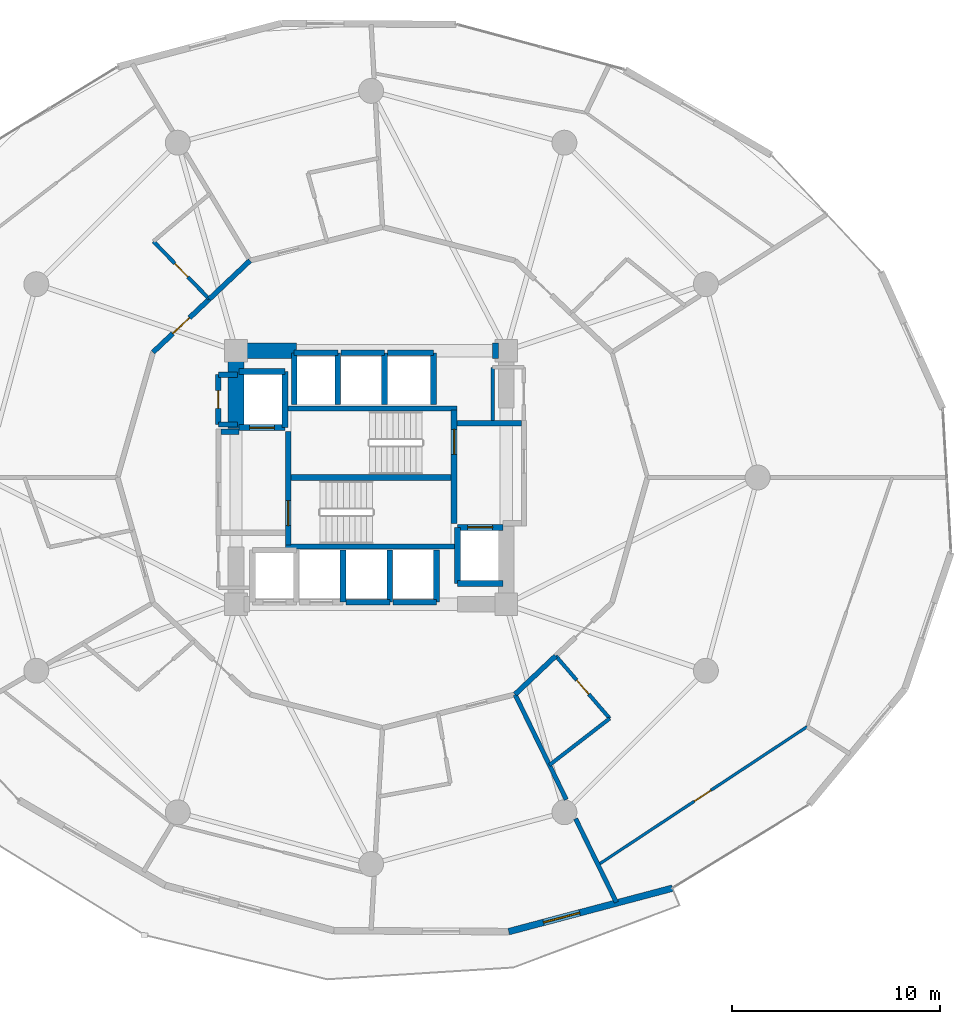
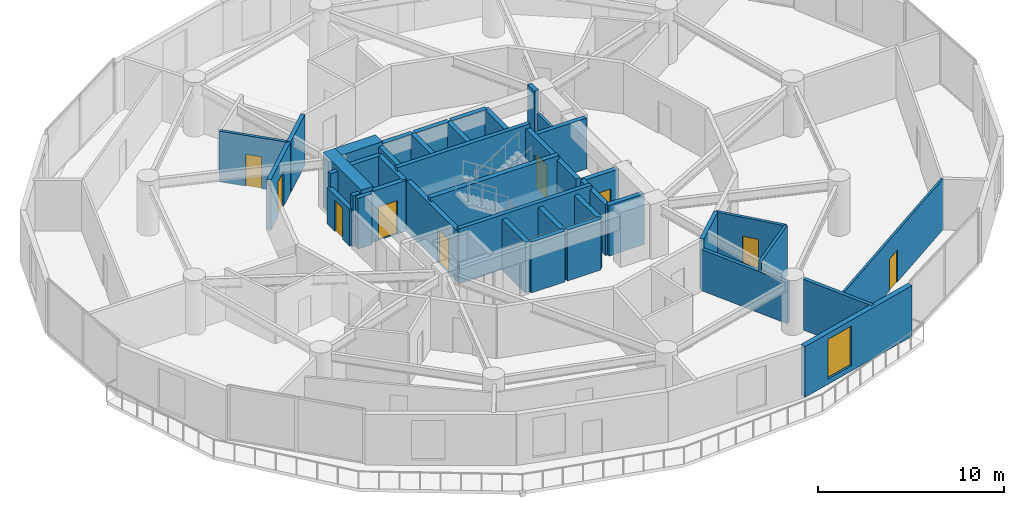
# One storey, part 18 of 23: 42 walls, 9 doors, 1 window, 10 openings.
"""IFC4 building model written with IfcOpenShell, lengths in metres."""

from ifc_helpers import new_model, si_unit, direction, frame, frame_2d, origin, place, context, subcontext, project, spatial, rectangle, extrude, material, layer, layer_set, type_object, element, fill, save


model = new_model("IFC4")

# Units and contexts
model_context = context("Model", 3, precision=1e-05, world=origin(), true_north=direction((0.0, 1.0)))
body_context = subcontext(model_context, "Body", "Model", "MODEL_VIEW")
ifc_project = project(units=[si_unit("LENGTHUNIT", "METRE"), si_unit("AREAUNIT", "SQUARE_METRE"), si_unit("VOLUMEUNIT", "CUBIC_METRE"), si_unit("PLANEANGLEUNIT", "RADIAN"), si_unit("MASSUNIT", "GRAM", prefix="KILO")], contexts=[model_context])

# Site, building, storey
site_placement = place(None, origin())
site = spatial("IfcSite", under=ifc_project, at=site_placement, CompositionType="ELEMENT")
building_placement = place(site_placement, origin())
building = spatial("IfcBuilding", under=site, at=building_placement, Name="Solvirekh Grand Hotel", CompositionType="ELEMENT")
storey_placement = place(building_placement, frame((0.0, 0.0, 39.199951171875)))
storey = spatial("IfcBuildingStorey", under=building, at=storey_placement, Name="L08", CompositionType="ELEMENT", Elevation=39.199951171875)

# Walls
ifc_material_1 = material(Name="Concrete C50/60", Category="concrete")
ifc_layer_1 = layer(ifc_material_1, 0.35009765625)
ifc_layer_set_1 = layer_set([ifc_layer_1], Name="Concrete C50/60")
wall_type_1 = type_object("IfcWallType", Name="CoreDivWall_RC350", PredefinedType="SOLIDWALL", material=ifc_layer_set_1)
for number, where, z_axis, x_axis, name in (
    (1, (-4.1298828125, -3.324951171875, 0.0), (0.0, 0.0, 1.0), (1.0, 0.0, 0.0), "L08 core stair box wall ST-S"),
    (2, (-4.1298828125, 3.324951171875, 0.0), (0.0, 0.0, 1.0), (1.0, 0.0, 0.0), "L08 core stair box wall ST-N"),
):
    element("IfcWall", number, at=place(storey_placement, frame(where, z_axis=z_axis, x_axis=x_axis)), inside=storey, type_object=wall_type_1, Name=name, PredefinedType="SOLIDWALL", context=body_context, shape_type="SweptSolid", body=[
        extrude(rectangle(XDim=8.259765625, YDim=0.25, at=frame_2d((4.1298828125, 0.0))), origin(), (0.0, 0.0, 1.0), 3.60009765625),
    ])
ifc_material_2 = material(Name="Concrete C40/50", Category="concrete")
ifc_layer_2 = layer(ifc_material_2, 0.280029296875)
ifc_layer_set_2 = layer_set([ifc_layer_2], Name="Concrete C40/50")
wall_type_2 = type_object("IfcWallType", Name="CoreShaftWall_RC280", PredefinedType="SOLIDWALL", material=ifc_layer_set_2)
wall_1_placement = place(storey_placement, frame((-1.35009765625, -6.0, 0.0), z_axis=(0.0, 0.0, 1.0), x_axis=(0.0, 1.0, 0.0)))
element("IfcWall", 3, at=wall_1_placement, inside=storey, type_object=wall_type_2, Name="L08 LP-2 hoistway E wall", PredefinedType="SOLIDWALL", context=body_context, shape_type="SweptSolid", body=[
    extrude(rectangle(XDim=2.5, YDim=0.280029296875, at=frame_2d((1.25, 0.0))), origin(), (0.0, 0.0, 1.0), 3.340087890625),
])
wall_2_placement = place(storey_placement, frame((-1.199951171875, -6.0, 0.0), z_axis=(0.0, 0.0, 1.0), x_axis=(1.0, 0.0, 0.0)))
element("IfcWall", 4, at=wall_2_placement, inside=storey, type_object=wall_type_2, Name="L08 MP-1 hoistway S wall", PredefinedType="SOLIDWALL", context=body_context, shape_type="SweptSolid", body=[
    extrude(rectangle(XDim=2.099853515625, YDim=0.280029296875, at=frame_2d((1.0498046875, 0.0))), origin(), (0.0, 0.0, 1.0), 3.340087890625),
])
wall_3_placement = place(storey_placement, frame((0.89990234375, -6.0, 0.0), z_axis=(0.0, 0.0, 1.0), x_axis=(0.0, 1.0, 0.0)))
element("IfcWall", 5, at=wall_3_placement, inside=storey, type_object=wall_type_2, Name="L08 MP-1 hoistway E wall", PredefinedType="SOLIDWALL", context=body_context, shape_type="SweptSolid", body=[
    extrude(rectangle(XDim=2.5, YDim=0.280029296875, at=frame_2d((1.25, 0.0))), origin(), (0.0, 0.0, 1.0), 3.340087890625),
])
wall_4_placement = place(storey_placement, frame((1.050048828125, -6.0, 0.0), z_axis=(0.0, 0.0, 1.0), x_axis=(1.0, 0.0, 0.0)))
element("IfcWall", 6, at=wall_4_placement, inside=storey, type_object=wall_type_2, Name="L08 MP-2 hoistway S wall", PredefinedType="SOLIDWALL", context=body_context, shape_type="SweptSolid", body=[
    extrude(rectangle(XDim=2.099853515625, YDim=0.280029296875, at=frame_2d((1.0498046875, 0.0))), origin(), (0.0, 0.0, 1.0), 3.340087890625),
])
wall_5_placement = place(storey_placement, frame((3.14990234375, -6.0, 0.0), z_axis=(0.0, 0.0, 1.0), x_axis=(0.0, 1.0, 0.0)))
element("IfcWall", 7, at=wall_5_placement, inside=storey, type_object=wall_type_2, Name="L08 MP-2 hoistway E wall", PredefinedType="SOLIDWALL", context=body_context, shape_type="SweptSolid", body=[
    extrude(rectangle(XDim=2.5, YDim=0.280029296875, at=frame_2d((1.25, 0.0))), origin(), (0.0, 0.0, 1.0), 3.340087890625),
])
wall_6_placement = place(storey_placement, frame((-1.60009765625, 6.0, 0.0), z_axis=(0.0, 0.0, 1.0), x_axis=(-1.0, 0.0, 0.0)))
element("IfcWall", 8, at=wall_6_placement, inside=storey, type_object=wall_type_2, Name="L08 HP-1 hoistway N wall", PredefinedType="SOLIDWALL", context=body_context, shape_type="SweptSolid", body=[
    extrude(rectangle(XDim=2.099853515625, YDim=0.280029296875, at=frame_2d((1.0498046875, 0.0))), origin(), (0.0, 0.0, 1.0), 3.340087890625),
])
for number, where, z_axis, x_axis, name in (
    (9, (-3.699951171875, 6.0, 0.0), (0.0, 0.0, 1.0), (0.0, -1.0, 0.0), "L08 HP-1 hoistway W wall"),
    (10, (-1.60009765625, 3.5, 0.0), (0.0, 0.0, 1.0), (0.0, 1.0, 0.0), "L08 HP-1 hoistway E wall"),
):
    element("IfcWall", number, at=place(storey_placement, frame(where, z_axis=z_axis, x_axis=x_axis)), inside=storey, type_object=wall_type_2, Name=name, PredefinedType="SOLIDWALL", context=body_context, shape_type="SweptSolid", body=[
        extrude(rectangle(XDim=2.5, YDim=0.280029296875, at=frame_2d((1.25, 0.0))), origin(), (0.0, 0.0, 1.0), 3.340087890625),
    ])
wall_7_placement = place(storey_placement, frame((0.64990234375, 6.0, 0.0), z_axis=(0.0, 0.0, 1.0), x_axis=(-1.0, 0.0, 0.0)))
element("IfcWall", 11, at=wall_7_placement, inside=storey, type_object=wall_type_2, Name="L08 HP-2 hoistway N wall", PredefinedType="SOLIDWALL", context=body_context, shape_type="SweptSolid", body=[
    extrude(rectangle(XDim=2.099853515625, YDim=0.280029296875, at=frame_2d((1.0498046875, 0.0))), origin(), (0.0, 0.0, 1.0), 3.340087890625),
])
wall_8_placement = place(storey_placement, frame((0.64990234375, 3.5, 0.0), z_axis=(0.0, 0.0, 1.0), x_axis=(0.0, 1.0, 0.0)))
element("IfcWall", 12, at=wall_8_placement, inside=storey, type_object=wall_type_2, Name="L08 HP-2 hoistway E wall", PredefinedType="SOLIDWALL", context=body_context, shape_type="SweptSolid", body=[
    extrude(rectangle(XDim=2.5, YDim=0.280029296875, at=frame_2d((1.25, 0.0))), origin(), (0.0, 0.0, 1.0), 3.340087890625),
])
wall_9_placement = place(storey_placement, frame((3.0, 6.0, 0.0), z_axis=(0.0, 0.0, 1.0), x_axis=(-1.0, 0.0, 0.0)))
element("IfcWall", 13, at=wall_9_placement, inside=storey, type_object=wall_type_2, Name="L08 EX-1 hoistway N wall", PredefinedType="SOLIDWALL", context=body_context, shape_type="SweptSolid", body=[
    extrude(rectangle(XDim=2.199951171875, YDim=0.280029296875, at=frame_2d((1.10009765625, 0.0))), origin(), (0.0, 0.0, 1.0), 3.340087890625),
])
wall_10_placement = place(storey_placement, frame((3.0, 3.5, 0.0), z_axis=(0.0, 0.0, 1.0), x_axis=(0.0, 1.0, 0.0)))
element("IfcWall", 14, at=wall_10_placement, inside=storey, type_object=wall_type_2, Name="L08 EX-1 hoistway E wall", PredefinedType="SOLIDWALL", context=body_context, shape_type="SweptSolid", body=[
    extrude(rectangle(XDim=2.5, YDim=0.280029296875, at=frame_2d((1.25, 0.0))), origin(), (0.0, 0.0, 1.0), 3.340087890625),
])

# Wall, opening, door
wall_11_placement = place(storey_placement, frame((-6.35009765625, 2.39990234375, 0.0), z_axis=(0.0, 0.0, 1.0), x_axis=(1.0, 0.0, 0.0)))
wall_11 = element("IfcWall", 15, at=wall_11_placement, inside=storey, type_object=wall_type_2, Name="L08 FL-1 hoistway S wall", PredefinedType="SOLIDWALL", context=body_context, shape_type="SweptSolid", body=[
    extrude(rectangle(XDim=2.2001953125, YDim=0.280029296875, at=frame_2d((1.10009765625, 0.0))), origin(), (0.0, 0.0, 1.0), 3.340087890625),
])
opening_1_placement = place(wall_11_placement, frame((0.5, 0.0, 0.0)))
opening_1 = element("IfcOpeningElement", 16, at=opening_1_placement, cuts=wall_11, Name="Opening LD02", PredefinedType="OPENING", context=body_context, shape_type="SweptSolid", body=[
    extrude(rectangle(XDim=1.199951171875, YDim=2.199951171875, at=frame_2d((0.60009765625, 1.10009765625))), frame((0.0, 0.14990234375, 0.0), z_axis=(0.0, -1.0, 0.0), x_axis=(1.0, 0.0, 0.0)), (0.0, 0.0, 1.0), 0.300048828125),
])
ifc_material_3 = material(Name="Fire-Rated Steel Door Assembly", Category="steel")
door_type_1 = type_object("IfcDoorType", Name="Door_LiftFF_1200X2200", OperationType="SLIDING_TO_LEFT", PredefinedType="DOOR", material=ifc_material_3)
door_1_placement = place(opening_1_placement, origin())
door_1 = element("IfcDoor", 17, at=door_1_placement, inside=storey, type_object=door_type_1, Name="L08 FL-1 sliding lift landing door", OperationType="SLIDING_TO_LEFT", OverallHeight=2.199951171875, OverallWidth=1.199951171875, PredefinedType="DOOR", context=body_context, shape_type="SweptSolid", body=[
    extrude(rectangle(XDim=1.199951171875, YDim=2.199951171875, at=frame_2d((0.60009765625, 1.10009765625))), frame((0.0, 0.02490234375, 0.0), z_axis=(0.0, -1.0, 0.0), x_axis=(1.0, 0.0, 0.0)), (0.0, 0.0, 1.0), 0.050048828125),
])
fill(opening_1, door_1)

# Walls
wall_12_placement = place(storey_placement, frame((-4.14990234375, 5.10009765625, 0.0), z_axis=(0.0, 0.0, 1.0), x_axis=(-1.0, 0.0, 0.0)))
element("IfcWall", 18, at=wall_12_placement, inside=storey, type_object=wall_type_2, Name="L08 FL-1 hoistway N wall", PredefinedType="SOLIDWALL", context=body_context, shape_type="SweptSolid", body=[
    extrude(rectangle(XDim=2.2001953125, YDim=0.280029296875, at=frame_2d((1.10009765625, 0.0))), origin(), (0.0, 0.0, 1.0), 3.340087890625),
])
wall_13_placement = place(storey_placement, frame((-4.14990234375, 2.39990234375, 0.0), z_axis=(0.0, 0.0, 1.0), x_axis=(0.0, 1.0, 0.0)))
element("IfcWall", 19, at=wall_13_placement, inside=storey, type_object=wall_type_2, Name="L08 FL-1 hoistway E wall", PredefinedType="SOLIDWALL", context=body_context, shape_type="SweptSolid", body=[
    extrude(rectangle(XDim=2.7001953125, YDim=0.280029296875, at=frame_2d((1.35009765625, 0.0))), origin(), (0.0, 0.0, 1.0), 3.340087890625),
])
wall_14_placement = place(storey_placement, frame((4.14990234375, -5.10009765625, 0.0), z_axis=(0.0, 0.0, 1.0), x_axis=(1.0, 0.0, 0.0)))
element("IfcWall", 20, at=wall_14_placement, inside=storey, type_object=wall_type_2, Name="L08 FL-2 hoistway S wall", PredefinedType="SOLIDWALL", context=body_context, shape_type="SweptSolid", body=[
    extrude(rectangle(XDim=2.2001953125, YDim=0.280029296875, at=frame_2d((1.10009765625, 0.0))), origin(), (0.0, 0.0, 1.0), 3.340087890625),
])

# Wall, opening, door
wall_15_placement = place(storey_placement, frame((6.35009765625, -2.39990234375, 0.0), z_axis=(0.0, 0.0, 1.0), x_axis=(-1.0, 0.0, 0.0)))
wall_15 = element("IfcWall", 21, at=wall_15_placement, inside=storey, type_object=wall_type_2, Name="L08 FL-2 hoistway N wall", PredefinedType="SOLIDWALL", context=body_context, shape_type="SweptSolid", body=[
    extrude(rectangle(XDim=2.2001953125, YDim=0.280029296875, at=frame_2d((1.10009765625, 0.0))), origin(), (0.0, 0.0, 1.0), 3.340087890625),
])
opening_2_placement = place(wall_15_placement, frame((0.5, 0.0, 0.0)))
opening_2 = element("IfcOpeningElement", 22, at=opening_2_placement, cuts=wall_15, Name="Opening LD02", PredefinedType="OPENING", context=body_context, shape_type="SweptSolid", body=[
    extrude(rectangle(XDim=1.199951171875, YDim=2.199951171875, at=frame_2d((0.60009765625, 1.10009765625))), frame((0.0, 0.14990234375, 0.0), z_axis=(0.0, -1.0, 0.0), x_axis=(1.0, 0.0, 0.0)), (0.0, 0.0, 1.0), 0.300048828125),
])
door_2_placement = place(opening_2_placement, origin())
door_2 = element("IfcDoor", 23, at=door_2_placement, inside=storey, type_object=door_type_1, Name="L08 FL-2 sliding lift landing door", OperationType="SLIDING_TO_LEFT", OverallHeight=2.199951171875, OverallWidth=1.199951171875, PredefinedType="DOOR", context=body_context, shape_type="SweptSolid", body=[
    extrude(rectangle(XDim=1.199951171875, YDim=2.199951171875, at=frame_2d((0.60009765625, 1.10009765625))), frame((0.0, 0.02490234375, 0.0), z_axis=(0.0, -1.0, 0.0), x_axis=(1.0, 0.0, 0.0)), (0.0, 0.0, 1.0), 0.050048828125),
])
fill(opening_2, door_2)

# Wall
wall_16_placement = place(storey_placement, frame((4.14990234375, -2.39990234375, 0.0), z_axis=(0.0, 0.0, 1.0), x_axis=(0.0, -1.0, 0.0)))
element("IfcWall", 24, at=wall_16_placement, inside=storey, type_object=wall_type_2, Name="L08 FL-2 hoistway W wall", PredefinedType="SOLIDWALL", context=body_context, shape_type="SweptSolid", body=[
    extrude(rectangle(XDim=2.7001953125, YDim=0.280029296875, at=frame_2d((1.35009765625, 0.0))), origin(), (0.0, 0.0, 1.0), 3.340087890625),
])

# Wall, opening, door
wall_17_placement = place(storey_placement, frame((-3.989990234375, -3.25, 0.0), z_axis=(0.0, 0.0, 1.0), x_axis=(0.0, 1.0, 0.0)))
wall_17 = element("IfcWall", 25, at=wall_17_placement, inside=storey, type_object=wall_type_2, Name="L08 west stair landing enclosure wall", PredefinedType="SOLIDWALL", context=body_context, shape_type="SweptSolid", body=[
    extrude(rectangle(XDim=5.4599609375, YDim=0.280029296875, at=frame_2d((2.72998046875, 0.0))), origin(), (0.0, 0.0, 1.0), 3.340087890625),
])
opening_3_placement = place(wall_17_placement, frame((0.93701171875, 0.0, 0.0)))
opening_3 = element("IfcOpeningElement", 26, at=opening_3_placement, cuts=wall_17, Name="Opening D05", PredefinedType="OPENING", context=body_context, shape_type="SweptSolid", body=[
    extrude(rectangle(XDim=1.199951171875, YDim=2.199951171875, at=frame_2d((0.60009765625, 1.10009765625))), frame((0.0, 0.14990234375, 0.0), z_axis=(0.0, -1.0, 0.0), x_axis=(1.0, 0.0, 0.0)), (0.0, 0.0, 1.0), 0.300048828125),
])
door_type_2 = type_object("IfcDoorType", Name="Door_StairCore_1200X2200", OperationType="NOTDEFINED", PredefinedType="DOOR", material=ifc_material_3)
door_3_placement = place(opening_3_placement, origin())
door_3 = element("IfcDoor", 27, at=door_3_placement, inside=storey, type_object=door_type_2, Name="L08 exit stair ST-1 fire door", OperationType="SINGLE_SWING_RIGHT", OverallHeight=2.199951171875, OverallWidth=1.199951171875, PredefinedType="DOOR", context=body_context, shape_type="SweptSolid", body=[
    extrude(rectangle(XDim=1.199951171875, YDim=2.199951171875, at=frame_2d((0.60009765625, 1.10009765625))), frame((0.0, 0.02490234375, 0.0), z_axis=(0.0, -1.0, 0.0), x_axis=(1.0, 0.0, 0.0)), (0.0, 0.0, 1.0), 0.050048828125),
])
fill(opening_3, door_3)

wall_18_placement = place(storey_placement, frame((3.989990234375, -2.2099609375, 0.0), z_axis=(0.0, 0.0, 1.0), x_axis=(0.0, 1.0, 0.0)))
wall_18 = element("IfcWall", 28, at=wall_18_placement, inside=storey, type_object=wall_type_2, Name="L08 east stair landing enclosure wall", PredefinedType="SOLIDWALL", context=body_context, shape_type="SweptSolid", body=[
    extrude(rectangle(XDim=5.4599609375, YDim=0.280029296875, at=frame_2d((2.72998046875, 0.0))), origin(), (0.0, 0.0, 1.0), 3.340087890625),
])
opening_4_placement = place(wall_18_placement, frame((3.322998046875, 0.0, 0.0)))
opening_4 = element("IfcOpeningElement", 29, at=opening_4_placement, cuts=wall_18, Name="Opening D05", PredefinedType="OPENING", context=body_context, shape_type="SweptSolid", body=[
    extrude(rectangle(XDim=1.199951171875, YDim=2.199951171875, at=frame_2d((0.60009765625, 1.10009765625))), frame((0.0, 0.14990234375, 0.0), z_axis=(0.0, -1.0, 0.0), x_axis=(1.0, 0.0, 0.0)), (0.0, 0.0, 1.0), 0.300048828125),
])
door_4_placement = place(opening_4_placement, origin())
door_4 = element("IfcDoor", 30, at=door_4_placement, inside=storey, type_object=door_type_2, Name="L08 exit stair ST-2 fire door", OperationType="SINGLE_SWING_LEFT", OverallHeight=2.199951171875, OverallWidth=1.199951171875, PredefinedType="DOOR", context=body_context, shape_type="SweptSolid", body=[
    extrude(rectangle(XDim=1.199951171875, YDim=2.199951171875, at=frame_2d((0.60009765625, 1.10009765625))), frame((0.0, 0.02490234375, 0.0), z_axis=(0.0, -1.0, 0.0), x_axis=(1.0, 0.0, 0.0)), (0.0, 0.0, 1.0), 0.050048828125),
])
fill(opening_4, door_4)

# Walls
ifc_material_4 = material(Name="Concrete C60/75", Category="concrete")
ifc_layer_3 = layer(ifc_material_4, 0.75)
ifc_layer_set_3 = layer_set([ifc_layer_3], Name="Concrete C60/75")
wall_type_3 = type_object("IfcWallType", Name="CoreWall_RC750", PredefinedType="SHEAR", material=ifc_layer_set_3)
wall_19_placement = place(storey_placement, frame((-3.989990234375, 0.0, 0.0), z_axis=(0.0, 0.0, 1.0), x_axis=(1.0, 0.0, 0.0)))
element("IfcWall", 31, at=wall_19_placement, inside=storey, type_object=wall_type_3, Name="L08 central stair-spine shear wall", PredefinedType="SHEAR", context=body_context, shape_type="SweptSolid", body=[
    extrude(rectangle(XDim=7.97998046875, YDim=0.300048828125, at=frame_2d((3.989990234375, 0.0))), origin(), (0.0, 0.0, 1.0), 3.60009765625),
])
wall_20_placement = place(storey_placement, frame((-6.125, 6.10009765625, 0.0), z_axis=(0.0, 0.0, 1.0), x_axis=(1.0, 0.0, 0.0)))
element("IfcWall", 32, at=wall_20_placement, inside=storey, type_object=wall_type_3, Name="L08 core corner shear wall NW-N", PredefinedType="SHEAR", context=body_context, shape_type="SweptSolid", body=[
    extrude(rectangle(XDim=2.52490234375, YDim=0.75, at=frame_2d((1.262451171875, 0.0))), origin(), (0.0, 0.0, 1.0), 3.60009765625),
])
wall_21_placement = place(storey_placement, frame((5.85009765625, 6.10009765625, 0.0), z_axis=(0.0, 0.0, 1.0), x_axis=(1.0, 0.0, 0.0)))
element("IfcWall", 33, at=wall_21_placement, inside=storey, type_object=wall_type_3, Name="L08 core corner shear wall NE-N", PredefinedType="SHEAR", context=body_context, shape_type="SweptSolid", body=[
    extrude(rectangle(XDim=0.27490234375, YDim=0.75, at=frame_2d((0.137451171875, 0.0))), origin(), (0.0, 0.0, 1.0), 3.60009765625),
])
wall_22_placement = place(storey_placement, frame((-6.5, 2.35009765625, 0.0), z_axis=(0.0, 0.0, 1.0), x_axis=(0.0, 1.0, 0.0)))
element("IfcWall", 34, at=wall_22_placement, inside=storey, type_object=wall_type_3, Name="L08 core corner shear wall WN-W", PredefinedType="SHEAR", context=body_context, shape_type="SweptSolid", body=[
    extrude(rectangle(XDim=4.125, YDim=0.75, at=frame_2d((2.0625, 0.0))), origin(), (0.0, 0.0, 1.0), 3.60009765625),
])

# Wall, opening, window
ifc_material_5 = material(Name="Precast concrete C45/55", Category="concrete")
ifc_layer_4 = layer(ifc_material_5, 0.320068359375)
ifc_layer_set_4 = layer_set([ifc_layer_4], Name="Precast concrete C45/55")
wall_type_4 = type_object("IfcWallType", Name="ExtLobbyWall_RC320", PredefinedType="SOLIDWALL", material=ifc_layer_set_4)
wall_23_placement = place(storey_placement, frame((14.4990234375, -19.760009765625, 0.0), z_axis=(0.0, 0.0, 1.0), x_axis=(-0.966523209468, -0.256579199389, 0.0)))
wall_23 = element("IfcWall", 35, at=wall_23_placement, inside=storey, type_object=wall_type_4, Name="L08 exterior structural wall chord 17", PredefinedType="SOLIDWALL", context=body_context, shape_type="SweptSolid", body=[
    extrude(rectangle(XDim=8.14990234375, YDim=0.320068359375, at=frame_2d((4.074951171875, 0.0))), origin(), (0.0, 0.0, 1.0), 3.340087890625),
])
opening_5_placement = place(wall_23_placement, frame((4.616943359375, 0.0, 0.35009765625)))
opening_5 = element("IfcOpeningElement", 36, at=opening_5_placement, cuts=wall_23, Name="Opening W02", PredefinedType="OPENING", context=body_context, shape_type="SweptSolid", body=[
    extrude(rectangle(XDim=1.800048828125, YDim=2.60009765625, at=frame_2d((0.89990234375, 1.300048828125))), frame((0.0, 0.169921875, 0.0), z_axis=(0.0, -1.0, 0.0), x_axis=(1.0, 0.0, 0.0)), (0.0, 0.0, 1.0), 0.340087890625),
])
ifc_material_6 = material(Name="Low-E Tinted Bronze Laminated Glass", Category="aluminium")
window_type = type_object("IfcWindowType", Name="Win_LobbyExt_1800X2600", PartitioningType="SINGLE_PANEL", PredefinedType="WINDOW", material=ifc_material_6)
window_placement = place(opening_5_placement, origin())
window = element("IfcWindow", 37, at=window_placement, inside=storey, type_object=window_type, Name="L08 panoramic bronze-framed window 17", OverallHeight=2.60009765625, OverallWidth=1.800048828125, PartitioningType="SINGLE_PANEL", PredefinedType="WINDOW", context=body_context, shape_type="SweptSolid", body=[
    extrude(rectangle(XDim=1.800048828125, YDim=2.60009765625, at=frame_2d((0.89990234375, 1.300048828125))), frame((0.0, 0.030029296875, 0.0), z_axis=(0.0, -1.0, 0.0), x_axis=(1.0, 0.0, 0.0)), (0.0, 0.0, 1.0), 0.06005859375),
])
fill(opening_5, window)

# Walls
ifc_material_7 = material(Name="Acoustic Gypsum Partition Assembly")
ifc_layer_5 = layer(ifc_material_7, 0.1650390625)
ifc_layer_set_5 = layer_set([ifc_layer_5], Name="Acoustic Gypsum Partition Assembly")
wall_type_5 = type_object("IfcWallType", Name="Part_BOH_165", PredefinedType="PARTITIONING", material=ifc_layer_set_5)
wall_24_placement = place(storey_placement, frame((5.85009765625, 5.300048828125, 0.0), z_axis=(0.0, 0.0, 1.0), x_axis=(0.0, -1.0, 0.0)))
element("IfcWall", 38, at=wall_24_placement, inside=storey, type_object=wall_type_5, Name="L08 L08 Telecom Distribution Room wall 4", PredefinedType="PARTITIONING", context=body_context, shape_type="SweptSolid", body=[
    extrude(rectangle(XDim=2.550048828125, YDim=0.1650390625, at=frame_2d((1.27490234375, 0.0))), origin(), (0.0, 0.0, 1.0), 2.425048828125),
])
ifc_layer_6 = layer(ifc_material_7, 0.239990234375)
ifc_layer_set_6 = layer_set([ifc_layer_6], Name="Acoustic Gypsum Partition Assembly")
wall_type_6 = type_object("IfcWallType", Name="Part_Corridor_240", PredefinedType="PARTITIONING", material=ifc_layer_set_6)
wall_25_placement = place(storey_placement, frame((-5.824951171875, 10.43603515625, 0.0), z_axis=(0.0, 0.0, 1.0), x_axis=(-0.726651583854, -0.687006168591, 0.0)))
element("IfcWall", 39, at=wall_25_placement, inside=storey, type_object=wall_type_6, Name="L08 En-suite Bathroom 1003 corridor backing wall", PredefinedType="PARTITIONING", context=body_context, shape_type="SweptSolid", body=[
    extrude(rectangle(XDim=2.697265625, YDim=0.239990234375, at=frame_2d((1.3486328125, 0.0))), origin(), (0.0, 0.0, 1.0), 3.340087890625),
])

# Wall, opening, door
wall_26_placement = place(storey_placement, frame((-7.784912109375, 8.5830078125, 0.0), z_axis=(0.0, 0.0, 1.0), x_axis=(-0.726816794063, -0.686831382413, 0.0)))
wall_26 = element("IfcWall", 40, at=wall_26_placement, inside=storey, type_object=wall_type_6, Name="L08 Executive Suite 1003 Living Room entrance wall", PredefinedType="PARTITIONING", context=body_context, shape_type="SweptSolid", body=[
    extrude(rectangle(XDim=3.724609375, YDim=0.239990234375, at=frame_2d((1.8623046875, 0.0))), origin(), (0.0, 0.0, 1.0), 3.340087890625),
])
opening_6_placement = place(wall_26_placement, frame((1.31201171875, 0.0, 0.0)))
opening_6 = element("IfcOpeningElement", 41, at=opening_6_placement, cuts=wall_26, Name="Opening D08", PredefinedType="OPENING", context=body_context, shape_type="SweptSolid", body=[
    extrude(rectangle(XDim=1.10009765625, YDim=2.300048828125, at=frame_2d((0.550048828125, 1.14990234375))), frame((0.0, 0.1298828125, 0.0), z_axis=(0.0, -1.0, 0.0), x_axis=(1.0, 0.0, 0.0)), (0.0, 0.0, 1.0), 0.260009765625),
])
door_type_3 = type_object("IfcDoorType", Name="Door_SuiteEntry_1100X2300", OperationType="NOTDEFINED", PredefinedType="DOOR", material=ifc_material_3)
door_5_placement = place(opening_6_placement, origin())
door_5 = element("IfcDoor", 42, at=door_5_placement, inside=storey, type_object=door_type_3, Name="L08 Executive Suite 1003 Living Room entrance door", OperationType="SINGLE_SWING_RIGHT", OverallHeight=2.300048828125, OverallWidth=1.10009765625, PredefinedType="DOOR", context=body_context, shape_type="SweptSolid", body=[
    extrude(rectangle(XDim=1.10009765625, YDim=2.300048828125, at=frame_2d((0.550048828125, 1.14990234375))), frame((0.0, 0.02490234375, 0.0), z_axis=(0.0, -1.0, 0.0), x_axis=(1.0, 0.0, 0.0)), (0.0, 0.0, 1.0), 0.050048828125),
])
fill(opening_6, door_5)

# Walls
wall_27_placement = place(storey_placement, frame((6.925048828125, -10.43603515625, 0.0), z_axis=(0.0, 0.0, 1.0), x_axis=(0.726651583854, 0.687006168591, 0.0)))
element("IfcWall", 43, at=wall_27_placement, inside=storey, type_object=wall_type_6, Name="L08 En-suite Bathroom 1007 corridor backing wall", PredefinedType="PARTITIONING", context=body_context, shape_type="SweptSolid", body=[
    extrude(rectangle(XDim=2.697265625, YDim=0.239990234375, at=frame_2d((1.3486328125, 0.0))), origin(), (0.0, 0.0, 1.0), 3.340087890625),
])
ifc_layer_7 = layer(ifc_material_7, 0.260009765625)
ifc_layer_set_7 = layer_set([ifc_layer_7], Name="Acoustic Gypsum Partition Assembly")
wall_type_7 = type_object("IfcWallType", Name="Part_LobbyFF_260", PredefinedType="PARTITIONING", material=ifc_layer_set_7)
wall_28_placement = place(storey_placement, frame((-7.22509765625, 2.2099609375, 0.0), z_axis=(0.0, 0.0, 1.0), x_axis=(1.0, 0.0, 0.0)))
element("IfcWall", 44, at=wall_28_placement, inside=storey, type_object=wall_type_7, Name="L08 west firefighting lobby NW cheek", PredefinedType="PARTITIONING", context=body_context, shape_type="SweptSolid", body=[
    extrude(rectangle(XDim=0.875, YDim=0.260009765625, at=frame_2d((0.4375, 0.0))), origin(), (0.0, 0.0, 1.0), 3.340087890625),
])
wall_29_placement = place(storey_placement, frame((4.1298828125, 2.60009765625, 0.0), z_axis=(0.0, 0.0, 1.0), x_axis=(1.0, 0.0, 0.0)))
element("IfcWall", 45, at=wall_29_placement, inside=storey, type_object=wall_type_7, Name="L08 east firefighting lobby north partition", PredefinedType="PARTITIONING", context=body_context, shape_type="SweptSolid", body=[
    extrude(rectangle(XDim=3.09521484375, YDim=0.260009765625, at=frame_2d((1.547607421875, 0.0))), origin(), (0.0, 0.0, 1.0), 3.340087890625),
])
for number, where, z_axis, x_axis, name in (
    (46, (-7.35009765625, 4.949951171875, 0.0), (0.0, 0.0, 1.0), (1.0, 0.0, 0.0), "L08 NW telecom metering cupboard north wall"),
    (47, (-7.35009765625, 2.550048828125, 0.0), (0.0, 0.0, 1.0), (1.0, 0.0, 0.0), "L08 NW telecom metering cupboard south wall"),
):
    element("IfcWall", number, at=place(storey_placement, frame(where, z_axis=z_axis, x_axis=x_axis)), inside=storey, type_object=wall_type_7, Name=name, PredefinedType="PARTITIONING", context=body_context, shape_type="SweptSolid", body=[
        extrude(rectangle(XDim=0.93017578125, YDim=0.260009765625, at=frame_2d((0.465087890625, 0.0))), origin(), (0.0, 0.0, 1.0), 3.340087890625),
    ])

# Wall, opening, door
wall_30_placement = place(storey_placement, frame((-7.35009765625, 2.550048828125, 0.0), z_axis=(0.0, 0.0, 1.0), x_axis=(0.0, 1.0, 0.0)))
wall_30 = element("IfcWall", 48, at=wall_30_placement, inside=storey, type_object=wall_type_7, Name="L08 NW telecom metering cupboard access wall", PredefinedType="PARTITIONING", context=body_context, shape_type="SweptSolid", body=[
    extrude(rectangle(XDim=2.39990234375, YDim=0.260009765625, at=frame_2d((1.199951171875, 0.0))), origin(), (0.0, 0.0, 1.0), 2.425048828125),
])
opening_7_placement = place(wall_30_placement, frame((0.77490234375, 0.0, 0.0)))
opening_7 = element("IfcOpeningElement", 49, at=opening_7_placement, cuts=wall_30, Name="Opening D13", PredefinedType="OPENING", context=body_context, shape_type="SweptSolid", body=[
    extrude(rectangle(XDim=0.85009765625, YDim=2.050048828125, at=frame_2d((0.425048828125, 1.02490234375))), frame((0.0, 0.14013671875, 0.0), z_axis=(0.0, -1.0, 0.0), x_axis=(1.0, 0.0, 0.0)), (0.0, 0.0, 1.0), 0.280029296875),
])
door_type_4 = type_object("IfcDoorType", Name="Door_RiserShaft_850X2050", OperationType="NOTDEFINED", PredefinedType="DOOR", material=ifc_material_3)
door_6_placement = place(opening_7_placement, origin())
door_6 = element("IfcDoor", 50, at=door_6_placement, inside=storey, type_object=door_type_4, Name="L08 telecom metering cupboard access door", OperationType="SINGLE_SWING_RIGHT", OverallHeight=2.050048828125, OverallWidth=0.85009765625, PredefinedType="DOOR", context=body_context, shape_type="SweptSolid", body=[
    extrude(rectangle(XDim=0.85009765625, YDim=2.050048828125, at=frame_2d((0.425048828125, 1.02490234375))), frame((0.0, 0.02490234375, 0.0), z_axis=(0.0, -1.0, 0.0), x_axis=(1.0, 0.0, 0.0)), (0.0, 0.0, 1.0), 0.050048828125),
])
fill(opening_7, door_6)

ifc_layer_8 = layer(ifc_material_7, 0.135009765625)
ifc_layer_set_8 = layer_set([ifc_layer_8], Name="Acoustic Gypsum Partition Assembly")
wall_type_8 = type_object("IfcWallType", Name="Part_RoomInt_135", PredefinedType="PARTITIONING", material=ifc_layer_set_8)
wall_31_placement = place(storey_placement, frame((10.922119140625, -18.636962890625, 0.0), z_axis=(0.0, 0.0, 1.0), x_axis=(0.834262284768, 0.551367790331, 0.0)))
wall_31 = element("IfcWall", 51, at=wall_31_placement, inside=storey, type_object=wall_type_8, Name="L08 Executive Suite 1007 Living Room bedroom screen wall", PredefinedType="PARTITIONING", context=body_context, shape_type="SweptSolid", body=[
    extrude(rectangle(XDim=12.0537109375, YDim=0.135009765625, at=frame_2d((6.02685546875, 0.0))), origin(), (0.0, 0.0, 1.0), 3.340087890625),
])
opening_8_placement = place(wall_31_placement, frame((5.552001953125, 0.0, 0.0)))
opening_8 = element("IfcOpeningElement", 52, at=opening_8_placement, cuts=wall_31, Name="Opening D10", PredefinedType="OPENING", context=body_context, shape_type="SweptSolid", body=[
    extrude(rectangle(XDim=0.949951171875, YDim=2.10009765625, at=frame_2d((0.47509765625, 1.050048828125))), frame((0.0, 0.07763671875, 0.0), z_axis=(0.0, -1.0, 0.0), x_axis=(1.0, 0.0, 0.0)), (0.0, 0.0, 1.0), 0.155029296875),
])
ifc_material_8 = material(Name="Anodized Bronze Aluminium 6063-T6", Category="aluminium")
door_type_5 = type_object("IfcDoorType", Name="Door_RoomInt_950X2100", OperationType="NOTDEFINED", PredefinedType="DOOR", material=ifc_material_8)
door_7_placement = place(opening_8_placement, origin())
door_7 = element("IfcDoor", 53, at=door_7_placement, inside=storey, type_object=door_type_5, Name="L08 Executive Suite 1007 Living Room master bedroom door", OperationType="SINGLE_SWING_LEFT", OverallHeight=2.10009765625, OverallWidth=0.949951171875, PredefinedType="DOOR", context=body_context, shape_type="SweptSolid", body=[
    extrude(rectangle(XDim=0.949951171875, YDim=2.10009765625, at=frame_2d((0.47509765625, 1.050048828125))), frame((0.0, 0.02490234375, 0.0), z_axis=(0.0, -1.0, 0.0), x_axis=(1.0, 0.0, 0.0)), (0.0, 0.0, 1.0), 0.050048828125),
])
fill(opening_8, door_7)

# Walls
ifc_layer_9 = layer(ifc_material_7, 0.2099609375)
ifc_layer_set_9 = layer_set([ifc_layer_9], Name="Acoustic Gypsum Partition Assembly")
wall_type_9 = type_object("IfcWallType", Name="Part_SuiteDemise_210", PredefinedType="PARTITIONING", material=ifc_layer_set_9)
wall_32_placement = place(storey_placement, frame((6.925048828125, -10.43603515625, 0.0), z_axis=(0.0, 0.0, 1.0), x_axis=(0.437992797289, -0.898978481123, 0.0)))
element("IfcWall", 54, at=wall_32_placement, inside=storey, type_object=wall_type_9, Name="L08 suite radial wall 11 (A)", PredefinedType="PARTITIONING", context=body_context, shape_type="SweptSolid", body=[
    extrude(rectangle(XDim=5.627685546875, YDim=0.2099609375, at=frame_2d((2.81396484375, 0.0))), origin(), (0.0, 0.0, 1.0), 2.708984375),
])
wall_33_placement = place(storey_placement, frame((9.839111328125, -16.4150390625, 0.0), z_axis=(0.0, 0.0, 1.0), x_axis=(0.438066667733, -0.898942486826, 0.0)))
element("IfcWall", 55, at=wall_33_placement, inside=storey, type_object=wall_type_9, Name="L08 suite radial wall 11 (B)", PredefinedType="PARTITIONING", context=body_context, shape_type="SweptSolid", body=[
    extrude(rectangle(XDim=4.47412109375, YDim=0.2099609375, at=frame_2d((2.237060546875, 0.0))), origin(), (0.0, 0.0, 1.0), 3.340087890625),
])

# Wall, opening, door
ifc_layer_10 = layer(ifc_material_7, 0.175048828125)
ifc_layer_set_10 = layer_set([ifc_layer_10], Name="Acoustic Gypsum Partition Assembly")
wall_type_10 = type_object("IfcWallType", Name="Plumb_Ensuite_175", PredefinedType="PLUMBINGWALL", material=ifc_layer_set_10)
wall_34_placement = place(storey_placement, frame((-7.784912109375, 8.5830078125, 0.0), z_axis=(0.0, 0.0, 1.0), x_axis=(-0.695227790949, 0.718789481484, 0.0)))
wall_34 = element("IfcWall", 56, at=wall_34_placement, inside=storey, type_object=wall_type_10, Name="L08 En-suite Bathroom 1003 entry plumbing wall", PredefinedType="PLUMBINGWALL", context=body_context, shape_type="SweptSolid", body=[
    extrude(rectangle(XDim=3.864990234375, YDim=0.175048828125, at=frame_2d((1.9326171875, 0.0))), origin(), (0.0, 0.0, 1.0), 3.340087890625),
])
opening_9_placement = place(wall_34_placement, frame((1.48193359375, 0.0, 0.0)))
opening_9 = element("IfcOpeningElement", 57, at=opening_9_placement, cuts=wall_34, Name="Opening D09", PredefinedType="OPENING", context=body_context, shape_type="SweptSolid", body=[
    extrude(rectangle(XDim=0.89990234375, YDim=2.10009765625, at=frame_2d((0.449951171875, 1.050048828125))), frame((0.0, 0.09765625, 0.0), z_axis=(0.0, -1.0, 0.0), x_axis=(1.0, 0.0, 0.0)), (0.0, 0.0, 1.0), 0.195068359375),
])
door_type_6 = type_object("IfcDoorType", Name="Door_Ensuite_900X2100", OperationType="NOTDEFINED", PredefinedType="DOOR", material=ifc_material_8)
door_8_placement = place(opening_9_placement, origin())
door_8 = element("IfcDoor", 58, at=door_8_placement, inside=storey, type_object=door_type_6, Name="L08 En-suite Bathroom 1003 door", OperationType="SINGLE_SWING_LEFT", OverallHeight=2.10009765625, OverallWidth=0.89990234375, PredefinedType="DOOR", context=body_context, shape_type="SweptSolid", body=[
    extrude(rectangle(XDim=0.89990234375, YDim=2.10009765625, at=frame_2d((0.449951171875, 1.050048828125))), frame((0.0, 0.02490234375, 0.0), z_axis=(0.0, -1.0, 0.0), x_axis=(1.0, 0.0, 0.0)), (0.0, 0.0, 1.0), 0.050048828125),
])
fill(opening_9, door_8)

# Wall
wall_35_placement = place(storey_placement, frame((8.58203125, -13.8359375, 0.0), z_axis=(0.0, 0.0, 1.0), x_axis=(0.791038798836, 0.611765983638, 0.0)))
element("IfcWall", 59, at=wall_35_placement, inside=storey, type_object=wall_type_10, Name="L08 En-suite Bathroom 1007 outer plumbing wall", PredefinedType="PLUMBINGWALL", context=body_context, shape_type="SweptSolid", body=[
    extrude(rectangle(XDim=3.664794921875, YDim=0.175048828125, at=frame_2d((1.83251953125, 0.0))), origin(), (0.0, 0.0, 1.0), 3.340087890625),
])

# Wall, opening, door
wall_36_placement = place(storey_placement, frame((8.885009765625, -8.5830078125, 0.0), z_axis=(0.0, 0.0, 1.0), x_axis=(0.652978495016, -0.757376448701, 0.0)))
wall_36 = element("IfcWall", 60, at=wall_36_placement, inside=storey, type_object=wall_type_10, Name="L08 En-suite Bathroom 1007 entry plumbing wall", PredefinedType="PLUMBINGWALL", context=body_context, shape_type="SweptSolid", body=[
    extrude(rectangle(XDim=3.9755859375, YDim=0.175048828125, at=frame_2d((1.98779296875, 0.0))), origin(), (0.0, 0.0, 1.0), 3.340087890625),
])
opening_10_placement = place(wall_36_placement, frame((1.5380859375, 0.0, 0.0)))
opening_10 = element("IfcOpeningElement", 61, at=opening_10_placement, cuts=wall_36, Name="Opening D09", PredefinedType="OPENING", context=body_context, shape_type="SweptSolid", body=[
    extrude(rectangle(XDim=0.89990234375, YDim=2.10009765625, at=frame_2d((0.449951171875, 1.050048828125))), frame((0.0, 0.09765625, 0.0), z_axis=(0.0, -1.0, 0.0), x_axis=(1.0, 0.0, 0.0)), (0.0, 0.0, 1.0), 0.195068359375),
])
door_9_placement = place(opening_10_placement, origin())
door_9 = element("IfcDoor", 62, at=door_9_placement, inside=storey, type_object=door_type_6, Name="L08 En-suite Bathroom 1007 door", OperationType="SINGLE_SWING_LEFT", OverallHeight=2.10009765625, OverallWidth=0.89990234375, PredefinedType="DOOR", context=body_context, shape_type="SweptSolid", body=[
    extrude(rectangle(XDim=0.89990234375, YDim=2.10009765625, at=frame_2d((0.449951171875, 1.050048828125))), frame((0.0, 0.02490234375, 0.0), z_axis=(0.0, -1.0, 0.0), x_axis=(1.0, 0.0, 0.0)), (0.0, 0.0, 1.0), 0.050048828125),
])
fill(opening_10, door_9)

save(model, "model.ifc")
